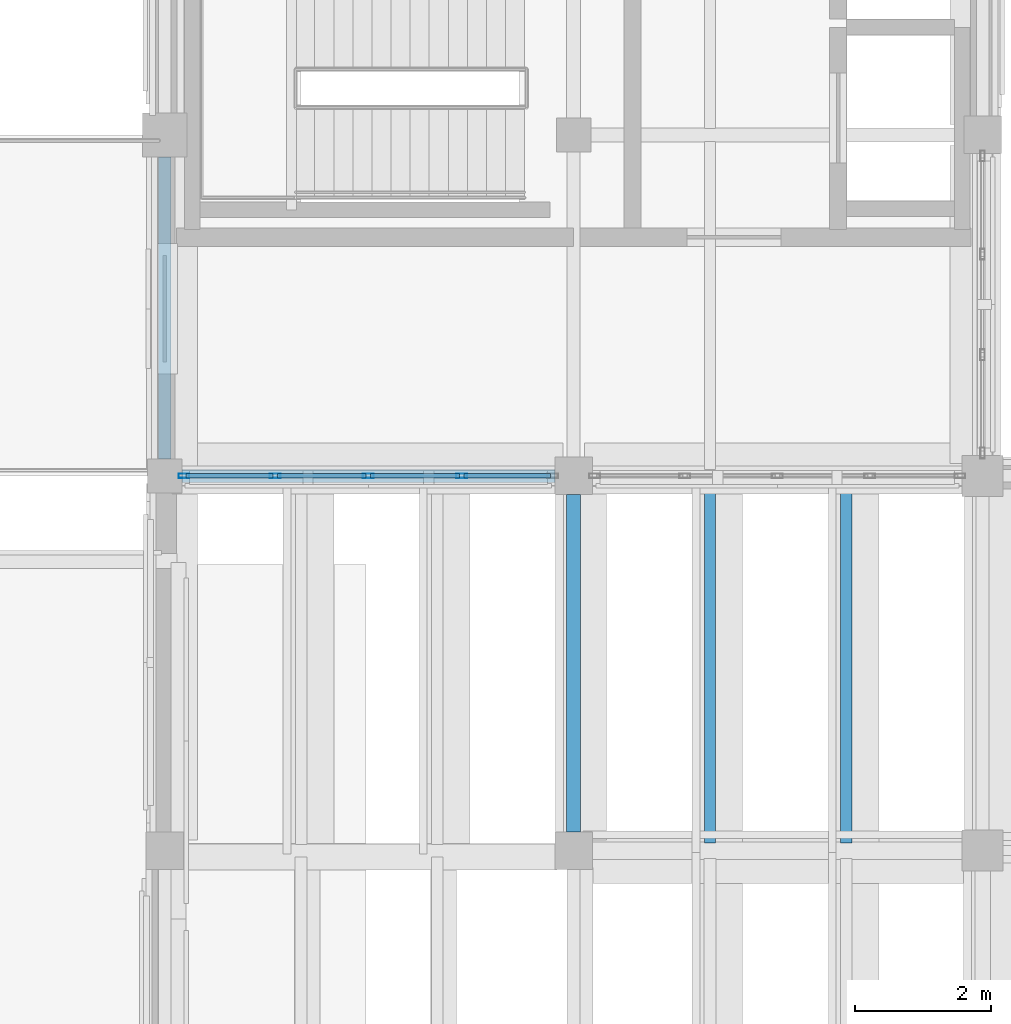
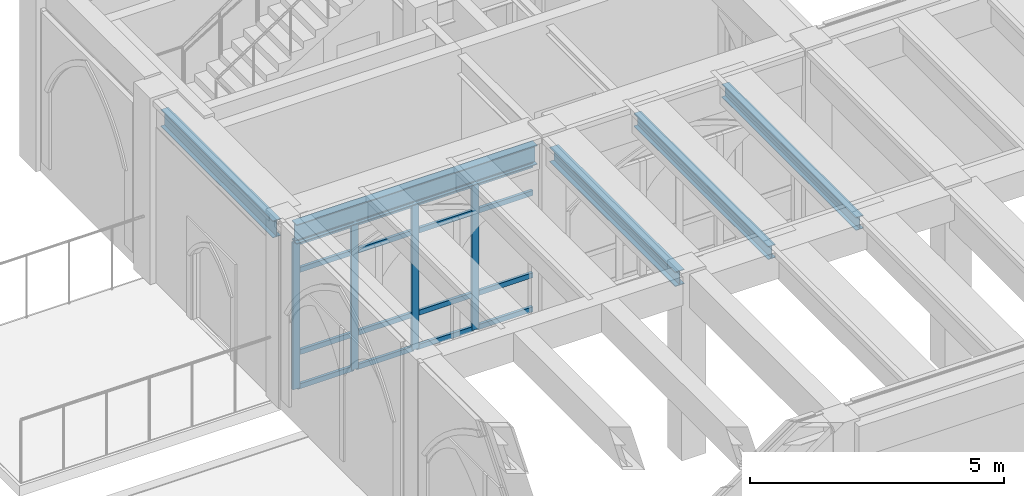
# One storey, part 27 of 127: 20 members, 5 beams, 1 element without a shape of its own.
"""IFC4 building model written with IfcOpenShell, lengths in metres."""

from ifc_helpers import new_model, si_unit, direction, frame, origin, origin_2d, place, context, subcontext, project, spatial, hollow_rectangle, i_section, extrude, material, layer, layer_set, material_profile, profile_set, type_object, element, aggregate, save


model = new_model("IFC4")

# Units and contexts
model_context = context("Model", 3, precision=1e-05, world=origin(), true_north=direction((0.0, 1.0)))
body_context = subcontext(model_context, "Body", "Model", "MODEL_VIEW")
ifc_project = project(units=[si_unit("LENGTHUNIT", "METRE"), si_unit("AREAUNIT", "SQUARE_METRE"), si_unit("VOLUMEUNIT", "CUBIC_METRE"), si_unit("PLANEANGLEUNIT", "RADIAN"), si_unit("MASSUNIT", "GRAM", prefix="KILO")], contexts=[model_context])

# Site, building, storey
site_placement = place(None, origin())
site = spatial("IfcSite", under=ifc_project, at=site_placement, CompositionType="ELEMENT")
building_placement = place(site_placement, origin())
building = spatial("IfcBuilding", under=site, at=building_placement, Name="Cumevento Cable Car Station", CompositionType="ELEMENT")
storey_placement = place(building_placement, frame((0.0, 0.0, 4.5)))
storey = spatial("IfcBuildingStorey", under=building, at=storey_placement, Name="L02", CompositionType="ELEMENT", Elevation=4.5)

# Curtain wall, members
ifc_material_1 = material(Name="Anodised Bronze Aluminium AW-6063-T6", Category="aluminium")
ifc_layer = layer(ifc_material_1, 0.2080078125)
ifc_layer_set = layer_set([ifc_layer], Name="Anodised Bronze Aluminium AW-6063-T6")
curtain_wall_type = type_object("IfcCurtainWallType", Name="Lancet Curtain Wall CW-09 1370", PredefinedType="NOTDEFINED", material=ifc_layer_set)
curtain_wall_placement = place(storey_placement, origin())
curtain_wall = element("IfcCurtainWall", 1, at=curtain_wall_placement, inside=storey, type_object=curtain_wall_type, Name="Lancet Curtain Wall CW-09 L02 #56", PredefinedType="NOTDEFINED")
ifc_material_2 = material(Name="Anodised Bronze Aluminium AW-6063-T6", Category="aluminium")
ifc_material_profile_1 = material_profile(ifc_material_2, hollow_rectangle(XDim=0.06494140625, YDim=0.159912109375, WallThickness=0.00390625, at=origin_2d()), Name="ALUM65x160x4")
ifc_profile_set_1 = profile_set([ifc_material_profile_1], Name="Anodised Bronze Aluminium AW-6063-T6")
member_type_1 = type_object("IfcMemberType", Name="Curtain Mullion CWM-01 ALUM65x160x4", PredefinedType="MULLION", material=ifc_profile_set_1)
member_1_placement = place(storey_placement, frame((26.356201171875, 56.5, 0.159912109375), z_axis=(0.0, 0.0, 1.0), x_axis=(0.0, -1.0, 0.0)))
member_1 = element("IfcMember", 2, at=member_1_placement, type_object=member_type_1, Name="CW-09 mullion 2", PredefinedType="MULLION", context=body_context, shape_type="SweptSolid", body=[
    extrude(hollow_rectangle(XDim=0.06494140625, YDim=0.159912109375, WallThickness=0.00390625, at=origin_2d()), origin(), (0.0, 0.0, 1.0), 3.527099609375),
])
member_2_placement = place(storey_placement, frame((24.987548828125, 56.5, 0.159912109375), z_axis=(0.0, 0.0, 1.0), x_axis=(0.0, -1.0, 0.0)))
member_2 = element("IfcMember", 3, at=member_2_placement, type_object=member_type_1, Name="CW-09 mullion 3", PredefinedType="MULLION", context=body_context, shape_type="SweptSolid", body=[
    extrude(hollow_rectangle(XDim=0.06494140625, YDim=0.159912109375, WallThickness=0.00390625, at=origin_2d()), origin(), (0.0, 0.0, 1.0), 3.527099609375),
])
member_3_placement = place(storey_placement, frame((23.61865234375, 56.5, 0.159912109375), z_axis=(0.0, 0.0, 1.0), x_axis=(0.0, -1.0, 0.0)))
member_3 = element("IfcMember", 4, at=member_3_placement, type_object=member_type_1, Name="CW-09 mullion 4", PredefinedType="MULLION", context=body_context, shape_type="SweptSolid", body=[
    extrude(hollow_rectangle(XDim=0.06494140625, YDim=0.159912109375, WallThickness=0.00390625, at=origin_2d()), origin(), (0.0, 0.0, 1.0), 3.527099609375),
])
member_4_placement = place(storey_placement, frame((22.282470703125, 56.5, 0.159912109375), z_axis=(0.0, 0.0, 1.0), x_axis=(0.0, -1.0, 0.0)))
member_4 = element("IfcMember", 5, at=member_4_placement, type_object=member_type_1, Name="CW-09 mullion 5", PredefinedType="MULLION", context=body_context, shape_type="SweptSolid", body=[
    extrude(hollow_rectangle(XDim=0.06494140625, YDim=0.159912109375, WallThickness=0.00390625, at=origin_2d()), origin(), (0.0, 0.0, 1.0), 3.527099609375),
])
ifc_material_3 = material(Name="Anodised Bronze Aluminium AW-6063-T6", Category="aluminium")
ifc_material_profile_2 = material_profile(ifc_material_3, hollow_rectangle(XDim=0.06494140625, YDim=0.1201171875, WallThickness=0.00390625, at=origin_2d()), Name="ALUT65x120x4")
ifc_profile_set_2 = profile_set([ifc_material_profile_2], Name="Anodised Bronze Aluminium AW-6063-T6")
member_type_2 = type_object("IfcMemberType", Name="Curtain Transom CWT-01 ALUT65x120x4", PredefinedType="USERDEFINED", material=ifc_profile_set_2)
member_5_placement = place(storey_placement, frame((27.659912109375, 56.5, 0.1923828125), z_axis=(-1.0, 0.0, 0.0), x_axis=(0.0, -1.0, 0.0)))
member_5 = element("IfcMember", 6, at=member_5_placement, type_object=member_type_2, Name="CW-09 transom 1.1", ObjectType="TRANSOM", PredefinedType="USERDEFINED", context=body_context, shape_type="SweptSolid", body=[
    extrude(hollow_rectangle(XDim=0.06494140625, YDim=0.1201171875, WallThickness=0.00390625, at=origin_2d()), origin(), (0.0, 0.0, 1.0), 1.271240234375),
])
member_6_placement = place(storey_placement, frame((27.659912109375, 56.5, 1.010009765625), z_axis=(-1.0, 0.0, 0.0), x_axis=(0.0, -1.0, 0.0)))
member_6 = element("IfcMember", 7, at=member_6_placement, type_object=member_type_2, Name="CW-09 transom 1.2", ObjectType="TRANSOM", PredefinedType="USERDEFINED", context=body_context, shape_type="SweptSolid", body=[
    extrude(hollow_rectangle(XDim=0.06494140625, YDim=0.1201171875, WallThickness=0.00390625, at=origin_2d()), origin(), (0.0, 0.0, 1.0), 1.271240234375),
])
member_7_placement = place(storey_placement, frame((27.659912109375, 56.5, 2.987060546875), z_axis=(-1.0, 0.0, 0.0), x_axis=(0.0, -1.0, 0.0)))
member_7 = element("IfcMember", 8, at=member_7_placement, type_object=member_type_2, Name="CW-09 transom 1.3", ObjectType="TRANSOM", PredefinedType="USERDEFINED", context=body_context, shape_type="SweptSolid", body=[
    extrude(hollow_rectangle(XDim=0.06494140625, YDim=0.1201171875, WallThickness=0.00390625, at=origin_2d()), origin(), (0.0, 0.0, 1.0), 1.271240234375),
])
member_8_placement = place(storey_placement, frame((27.659912109375, 56.5, 3.654541015625), z_axis=(-1.0, 0.0, 0.0), x_axis=(0.0, -1.0, 0.0)))
member_8 = element("IfcMember", 9, at=member_8_placement, type_object=member_type_2, Name="CW-09 transom 1.4", ObjectType="TRANSOM", PredefinedType="USERDEFINED", context=body_context, shape_type="SweptSolid", body=[
    extrude(hollow_rectangle(XDim=0.06494140625, YDim=0.1201171875, WallThickness=0.00390625, at=origin_2d()), origin(), (0.0, 0.0, 1.0), 1.271240234375),
])
member_9_placement = place(storey_placement, frame((26.32373046875, 56.5, 0.1923828125), z_axis=(-1.0, 0.0, 0.0), x_axis=(0.0, -1.0, 0.0)))
member_9 = element("IfcMember", 10, at=member_9_placement, type_object=member_type_2, Name="CW-09 transom 2.1", ObjectType="TRANSOM", PredefinedType="USERDEFINED", context=body_context, shape_type="SweptSolid", body=[
    extrude(hollow_rectangle(XDim=0.06494140625, YDim=0.1201171875, WallThickness=0.00390625, at=origin_2d()), origin(), (0.0, 0.0, 1.0), 1.3037109375),
])
member_10_placement = place(storey_placement, frame((26.32373046875, 56.5, 1.010009765625), z_axis=(-1.0, 0.0, 0.0), x_axis=(0.0, -1.0, 0.0)))
member_10 = element("IfcMember", 11, at=member_10_placement, type_object=member_type_2, Name="CW-09 transom 2.2", ObjectType="TRANSOM", PredefinedType="USERDEFINED", context=body_context, shape_type="SweptSolid", body=[
    extrude(hollow_rectangle(XDim=0.06494140625, YDim=0.1201171875, WallThickness=0.00390625, at=origin_2d()), origin(), (0.0, 0.0, 1.0), 1.3037109375),
])
member_11_placement = place(storey_placement, frame((26.32373046875, 56.5, 2.987060546875), z_axis=(-1.0, 0.0, 0.0), x_axis=(0.0, -1.0, 0.0)))
member_11 = element("IfcMember", 12, at=member_11_placement, type_object=member_type_2, Name="CW-09 transom 2.3", ObjectType="TRANSOM", PredefinedType="USERDEFINED", context=body_context, shape_type="SweptSolid", body=[
    extrude(hollow_rectangle(XDim=0.06494140625, YDim=0.1201171875, WallThickness=0.00390625, at=origin_2d()), origin(), (0.0, 0.0, 1.0), 1.3037109375),
])
member_12_placement = place(storey_placement, frame((26.32373046875, 56.5, 3.654541015625), z_axis=(-1.0, 0.0, 0.0), x_axis=(0.0, -1.0, 0.0)))
member_12 = element("IfcMember", 13, at=member_12_placement, type_object=member_type_2, Name="CW-09 transom 2.4", ObjectType="TRANSOM", PredefinedType="USERDEFINED", context=body_context, shape_type="SweptSolid", body=[
    extrude(hollow_rectangle(XDim=0.06494140625, YDim=0.1201171875, WallThickness=0.00390625, at=origin_2d()), origin(), (0.0, 0.0, 1.0), 1.3037109375),
])
member_13_placement = place(storey_placement, frame((24.955078125, 56.5, 0.1923828125), z_axis=(-1.0, 0.0, 0.0), x_axis=(0.0, -1.0, 0.0)))
member_13 = element("IfcMember", 14, at=member_13_placement, type_object=member_type_2, Name="CW-09 transom 3.1", ObjectType="TRANSOM", PredefinedType="USERDEFINED", context=body_context, shape_type="SweptSolid", body=[
    extrude(hollow_rectangle(XDim=0.06494140625, YDim=0.1201171875, WallThickness=0.00390625, at=origin_2d()), origin(), (0.0, 0.0, 1.0), 1.3037109375),
])
member_14_placement = place(storey_placement, frame((24.955078125, 56.5, 1.010009765625), z_axis=(-1.0, 0.0, 0.0), x_axis=(0.0, -1.0, 0.0)))
member_14 = element("IfcMember", 15, at=member_14_placement, type_object=member_type_2, Name="CW-09 transom 3.2", ObjectType="TRANSOM", PredefinedType="USERDEFINED", context=body_context, shape_type="SweptSolid", body=[
    extrude(hollow_rectangle(XDim=0.06494140625, YDim=0.1201171875, WallThickness=0.00390625, at=origin_2d()), origin(), (0.0, 0.0, 1.0), 1.3037109375),
])
member_15_placement = place(storey_placement, frame((24.955078125, 56.5, 2.987060546875), z_axis=(-1.0, 0.0, 0.0), x_axis=(0.0, -1.0, 0.0)))
member_15 = element("IfcMember", 16, at=member_15_placement, type_object=member_type_2, Name="CW-09 transom 3.3", ObjectType="TRANSOM", PredefinedType="USERDEFINED", context=body_context, shape_type="SweptSolid", body=[
    extrude(hollow_rectangle(XDim=0.06494140625, YDim=0.1201171875, WallThickness=0.00390625, at=origin_2d()), origin(), (0.0, 0.0, 1.0), 1.3037109375),
])
member_16_placement = place(storey_placement, frame((24.955078125, 56.5, 3.654541015625), z_axis=(-1.0, 0.0, 0.0), x_axis=(0.0, -1.0, 0.0)))
member_16 = element("IfcMember", 17, at=member_16_placement, type_object=member_type_2, Name="CW-09 transom 3.4", ObjectType="TRANSOM", PredefinedType="USERDEFINED", context=body_context, shape_type="SweptSolid", body=[
    extrude(hollow_rectangle(XDim=0.06494140625, YDim=0.1201171875, WallThickness=0.00390625, at=origin_2d()), origin(), (0.0, 0.0, 1.0), 1.3037109375),
])
member_17_placement = place(storey_placement, frame((23.586181640625, 56.5, 0.1923828125), z_axis=(-1.0, 0.0, 0.0), x_axis=(0.0, -1.0, 0.0)))
member_17 = element("IfcMember", 18, at=member_17_placement, type_object=member_type_2, Name="CW-09 transom 4.1", ObjectType="TRANSOM", PredefinedType="USERDEFINED", context=body_context, shape_type="SweptSolid", body=[
    extrude(hollow_rectangle(XDim=0.06494140625, YDim=0.1201171875, WallThickness=0.00390625, at=origin_2d()), origin(), (0.0, 0.0, 1.0), 1.271240234375),
])
member_18_placement = place(storey_placement, frame((23.586181640625, 56.5, 1.010009765625), z_axis=(-1.0, 0.0, 0.0), x_axis=(0.0, -1.0, 0.0)))
member_18 = element("IfcMember", 19, at=member_18_placement, type_object=member_type_2, Name="CW-09 transom 4.2", ObjectType="TRANSOM", PredefinedType="USERDEFINED", context=body_context, shape_type="SweptSolid", body=[
    extrude(hollow_rectangle(XDim=0.06494140625, YDim=0.1201171875, WallThickness=0.00390625, at=origin_2d()), origin(), (0.0, 0.0, 1.0), 1.271240234375),
])
member_19_placement = place(storey_placement, frame((23.586181640625, 56.5, 2.987060546875), z_axis=(-1.0, 0.0, 0.0), x_axis=(0.0, -1.0, 0.0)))
member_19 = element("IfcMember", 20, at=member_19_placement, type_object=member_type_2, Name="CW-09 transom 4.3", ObjectType="TRANSOM", PredefinedType="USERDEFINED", context=body_context, shape_type="SweptSolid", body=[
    extrude(hollow_rectangle(XDim=0.06494140625, YDim=0.1201171875, WallThickness=0.00390625, at=origin_2d()), origin(), (0.0, 0.0, 1.0), 1.271240234375),
])
member_20_placement = place(storey_placement, frame((23.586181640625, 56.5, 3.654541015625), z_axis=(-1.0, 0.0, 0.0), x_axis=(0.0, -1.0, 0.0)))
member_20 = element("IfcMember", 21, at=member_20_placement, type_object=member_type_2, Name="CW-09 transom 4.4", ObjectType="TRANSOM", PredefinedType="USERDEFINED", context=body_context, shape_type="SweptSolid", body=[
    extrude(hollow_rectangle(XDim=0.06494140625, YDim=0.1201171875, WallThickness=0.00390625, at=origin_2d()), origin(), (0.0, 0.0, 1.0), 1.271240234375),
])
aggregate(curtain_wall, [member_1, member_2, member_3, member_4, member_5, member_6, member_7, member_8, member_9, member_10, member_11, member_12, member_13, member_14, member_15, member_16, member_17, member_18, member_19, member_20])

# Beams
ifc_material_4 = material(Name="Steel ASTM A572 Grade 50", Category="steel")
ifc_material_profile_3 = material_profile(ifc_material_4, i_section(OverallWidth=0.205078125, OverallDepth=0.35400390625, WebThickness=0.009521484375, FlangeThickness=0.016845703125, at=origin_2d()), Name="W360x79.0")
ifc_profile_set_3 = profile_set([ifc_material_profile_3], Name="Steel ASTM A572 Grade 50")
beam_type_1 = type_object("IfcBeamType", Name="Structural Beam BM-05 W360x79.0", PredefinedType="BEAM", material=ifc_profile_set_3)
beam_1_placement = place(storey_placement, frame((28.0, 51.27490234375, 3.972900390625), z_axis=(0.0, 1.0, 0.0), x_axis=(-1.0, 0.0, 0.0)))
element("IfcBeam", 22, at=beam_1_placement, inside=storey, type_object=beam_type_1, Name="Beam BM-05 L02 #567", PredefinedType="BEAM", context=body_context, shape_type="SweptSolid", body=[
    extrude(i_section(OverallWidth=0.205078125, OverallDepth=0.35400390625, WebThickness=0.009521484375, FlangeThickness=0.016845703125, at=origin_2d()), origin(), (0.0, 0.0, 1.0), 4.9501953125),
])
ifc_material_5 = material(Name="Steel ASTM A572 Grade 50", Category="steel")
ifc_material_profile_4 = material_profile(ifc_material_5, i_section(OverallWidth=0.19189453125, OverallDepth=0.462890625, WebThickness=0.010498046875, FlangeThickness=0.017578125, at=origin_2d()), Name="W460x89.0")
ifc_profile_set_4 = profile_set([ifc_material_profile_4], Name="Steel ASTM A572 Grade 50")
beam_type_2 = type_object("IfcBeamType", Name="Structural Beam BM-10 W460x89.0", PredefinedType="BEAM", material=ifc_profile_set_4)
beam_2_placement = place(storey_placement, frame((22.25, 56.5, 3.91845703125), z_axis=(1.0, 0.0, 0.0), x_axis=(0.0, 1.0, 0.0)))
element("IfcBeam", 23, at=beam_2_placement, inside=storey, type_object=beam_type_2, Name="Beam BM-10 L02 #559", PredefinedType="BEAM", context=body_context, shape_type="SweptSolid", body=[
    extrude(i_section(OverallWidth=0.19189453125, OverallDepth=0.462890625, WebThickness=0.010498046875, FlangeThickness=0.017578125, at=origin_2d()), origin(), (0.0, 0.0, 1.0), 5.47509765625),
])
ifc_material_6 = material(Name="Steel ASTM A572 Grade 50", Category="steel")
ifc_material_profile_5 = material_profile(ifc_material_6, i_section(OverallWidth=0.1669921875, OverallDepth=0.31689453125, WebThickness=0.007568359375, FlangeThickness=0.01318359375, at=origin_2d()), Name="W310x52.0")
ifc_profile_set_5 = profile_set([ifc_material_profile_5], Name="Steel ASTM A572 Grade 50")
beam_type_3 = type_object("IfcBeamType", Name="Structural Joist JS-02 W310x52.0", PredefinedType="JOIST", material=ifc_profile_set_5)
for number, where, z_axis, x_axis, name in (
    (24, (30.0, 51.114990234375, 3.991455078125), (0.0, 1.0, 0.0), (-1.0, 0.0, 0.0), "Composite Floor Joist JS-02 L02 #793"),
    (25, (32.0, 51.114990234375, 3.991455078125), (0.0, 1.0, 0.0), (-1.0, 0.0, 0.0), "Composite Floor Joist JS-02 L02 #795"),
):
    element("IfcBeam", number, at=place(storey_placement, frame(where, z_axis=z_axis, x_axis=x_axis)), inside=storey, type_object=beam_type_3, Name=name, PredefinedType="JOIST", context=body_context, shape_type="SweptSolid", body=[
        extrude(i_section(OverallWidth=0.1669921875, OverallDepth=0.31689453125, WebThickness=0.007568359375, FlangeThickness=0.01318359375, at=origin_2d()), origin(), (0.0, 0.0, 1.0), 5.29150390625),
    ])
ifc_material_7 = material(Name="Steel ASTM A572 Grade 50", Category="steel")
ifc_material_profile_6 = material_profile(ifc_material_7, i_section(OverallWidth=0.177978515625, OverallDepth=0.406982421875, WebThickness=0.0078125, FlangeThickness=0.0126953125, at=origin_2d()), Name="W410x60.0")
ifc_profile_set_6 = profile_set([ifc_material_profile_6], Name="Steel ASTM A572 Grade 50")
beam_type_4 = type_object("IfcBeamType", Name="Structural Spandrel SP-01 W410x60.0", PredefinedType="SPANDREL", material=ifc_profile_set_6)
beam_3_placement = place(storey_placement, frame((22.0, 56.75, 3.946533203125), z_axis=(0.0, 1.0, 0.0), x_axis=(-1.0, 0.0, 0.0)))
element("IfcBeam", 26, at=beam_3_placement, inside=storey, type_object=beam_type_4, Name="Beam SP-01 L02 #579", PredefinedType="SPANDREL", context=body_context, shape_type="SweptSolid", body=[
    extrude(i_section(OverallWidth=0.177978515625, OverallDepth=0.406982421875, WebThickness=0.0078125, FlangeThickness=0.0126953125, at=origin_2d()), origin(), (0.0, 0.0, 1.0), 4.425048828125),
])

save(model, "model.ifc")
